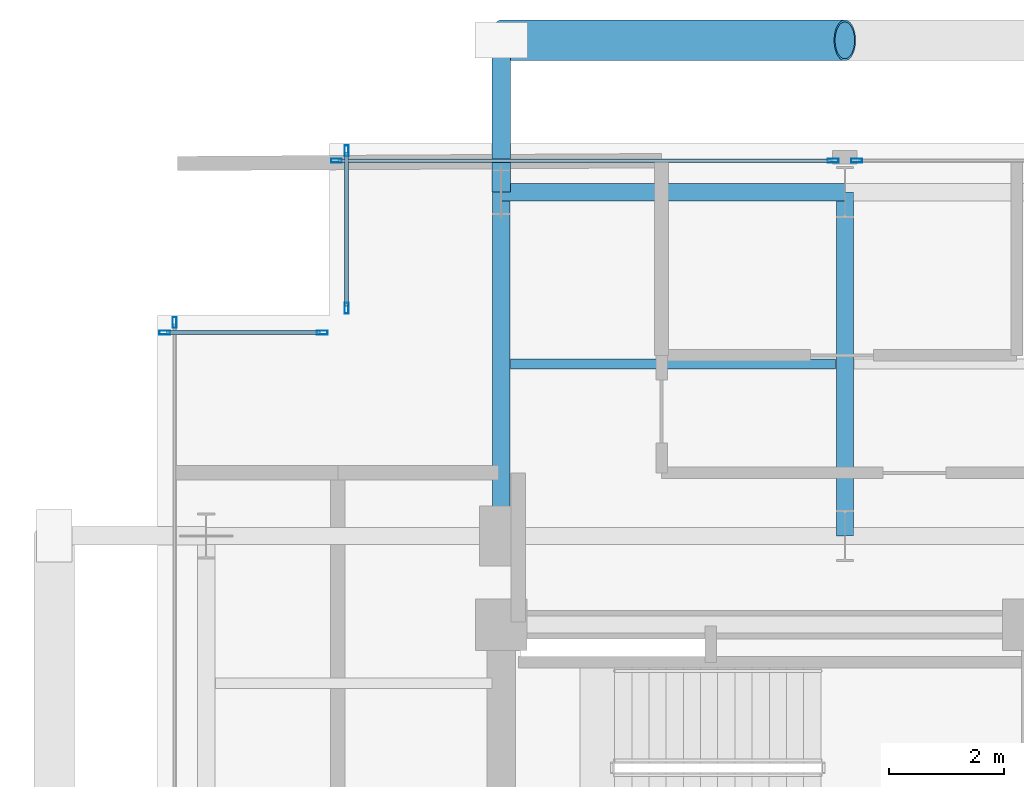
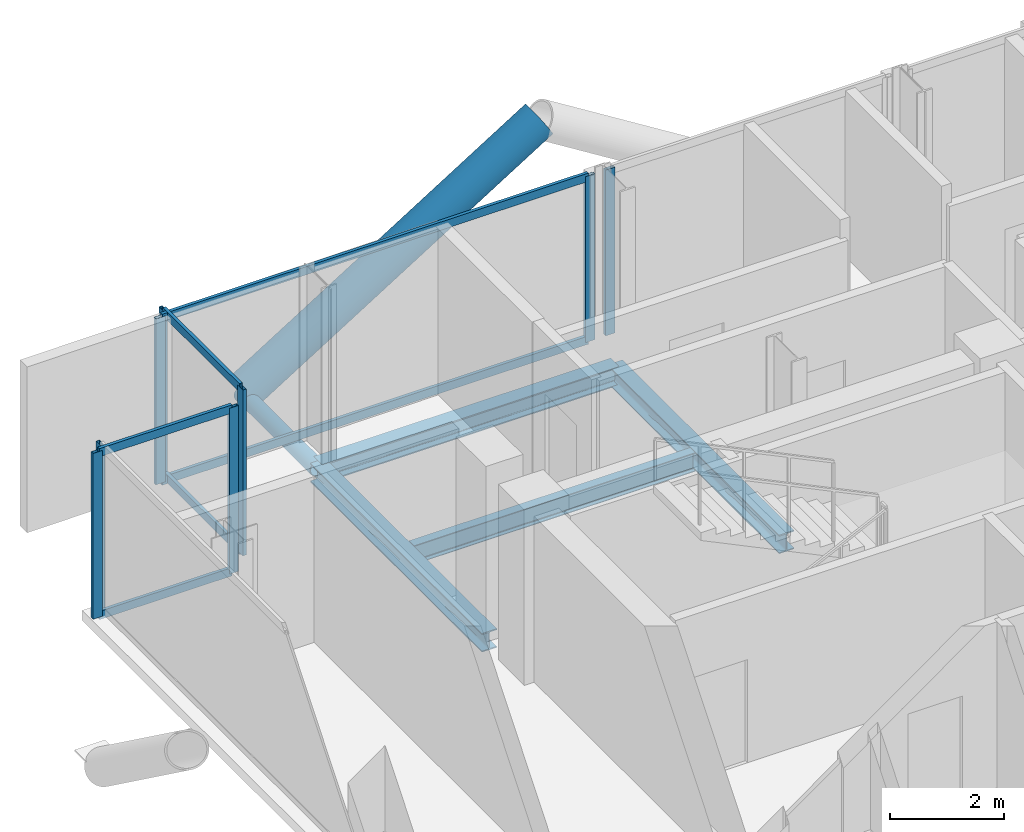
# One storey, part 13 of 21: 16 members, 4 beams, 5 elements without a shape of their own.
"""IFC4 building model written with IfcOpenShell, lengths in metres."""

from ifc_helpers import new_model, si_unit, direction, frame, origin, origin_2d, place, context, subcontext, project, spatial, hollow_rectangle, hollow_circle, i_section, extrude, material, layer, layer_set, material_profile, profile_set, type_object, element, aggregate, save


model = new_model("IFC4")

# Units and contexts
model_context = context("Model", 3, precision=1e-05, world=origin(), true_north=direction((0.0, 1.0)))
body_context = subcontext(model_context, "Body", "Model", "MODEL_VIEW")
ifc_project = project(units=[si_unit("LENGTHUNIT", "METRE"), si_unit("AREAUNIT", "SQUARE_METRE"), si_unit("VOLUMEUNIT", "CUBIC_METRE"), si_unit("PLANEANGLEUNIT", "RADIAN"), si_unit("MASSUNIT", "GRAM", prefix="KILO"), si_unit("THERMODYNAMICTEMPERATUREUNIT", "KELVIN"), si_unit("POWERUNIT", "WATT")], contexts=[model_context])

# Site, building, storey
site_placement = place(None, origin())
site = spatial("IfcSite", under=ifc_project, at=site_placement, CompositionType="ELEMENT")
building_placement = place(site_placement, origin())
building = spatial("IfcBuilding", under=site, at=building_placement, Name="Svarakhadi Broadcast Tower", CompositionType="ELEMENT")
storey_placement = place(building_placement, frame((0.0, 0.0, 187.949951171875)))
storey = spatial("IfcBuildingStorey", under=building, at=storey_placement, Name="L46", CompositionType="ELEMENT", Elevation=187.949951171875)

# Beam
ifc_material_1 = material(Name="Steel S355J2 (IS 2062 E350C)", Category="steel")
ifc_material_profile_1 = material_profile(ifc_material_1, i_section(OverallWidth=0.179931640625, OverallDepth=0.39990234375, WebThickness=0.008544921875, FlangeThickness=0.013427734375, FilletRadius=0.02099609375, at=origin_2d()), Name="NPB 400x180x66")
ifc_profile_set_1 = profile_set([ifc_material_profile_1], Name="Steel S355J2 (IS 2062 E350C)")
beam_type_1 = type_object("IfcBeamType", Name="Beam_NPB400", PredefinedType="BEAM", material=ifc_profile_set_1)
beam_placement = place(storey_placement, frame((6.159912109375, 32.14990234375, -0.409912109375), z_axis=(1.0, 0.0, 0.0), x_axis=(0.0, 1.0, 0.0)))
element("IfcBeam", 1, at=beam_placement, inside=storey, type_object=beam_type_1, Name="L46 Secondary Composite Beam SB008", PredefinedType="BEAM", context=body_context, shape_type="SweptSolid", body=[
    extrude(i_section(OverallWidth=0.179931640625, OverallDepth=0.39990234375, WebThickness=0.008544921875, FlangeThickness=0.013427734375, FilletRadius=0.02099609375, at=origin_2d()), origin(), (0.0, 0.0, 1.0), 5.68017578125),
])

# Curtain wall, member
ifc_material_2 = material(Name="Anodised Bronze Aluminium AA 6063-T6", Category="aluminium")
ifc_layer = layer(ifc_material_2, 0.18994140625)
ifc_layer_set = layer_set([ifc_layer], Name="Anodised Bronze Aluminium AA 6063-T6")
curtain_wall_type = type_object("IfcCurtainWallType", Name="CW_Sys_04", PredefinedType="NOTDEFINED", material=ifc_layer_set)
curtain_wall_1_placement = place(storey_placement, origin())
curtain_wall_1 = element("IfcCurtainWall", 2, at=curtain_wall_1_placement, inside=storey, type_object=curtain_wall_type, Name="L46 West Curtain Wall 03", PredefinedType="NOTDEFINED")
ifc_material_profile_2 = material_profile(ifc_material_2, hollow_rectangle(XDim=0.070068359375, YDim=0.18994140625, WallThickness=0.005615234375, at=origin_2d()), Name="ALU MULLION 190x70x6")
ifc_profile_set_2 = profile_set([ifc_material_profile_2], Name="Anodised Bronze Aluminium AA 6063-T6")
member_type_1 = type_object("IfcMemberType", Name="CW_Sys_04_Mul", PredefinedType="MULLION", material=ifc_profile_set_2)
member_1_placement = place(storey_placement, frame((0.300048828125, 32.875, 0.0), z_axis=(0.0, 0.0, 1.0), x_axis=(-1.0, 0.0, 0.0)))
member_1 = element("IfcMember", 3, at=member_1_placement, type_object=member_type_1, Name="CW-04 mullion 2", PredefinedType="MULLION", context=body_context, shape_type="SweptSolid", body=[
    extrude(hollow_rectangle(XDim=0.070068359375, YDim=0.18994140625, WallThickness=0.005615234375, at=origin_2d()), origin(), (0.0, 0.0, 1.0), 3.5400390625),
])
aggregate(curtain_wall_1, [member_1])

# Curtain wall, members
curtain_wall_2_placement = place(storey_placement, origin())
curtain_wall_2 = element("IfcCurtainWall", 4, at=curtain_wall_2_placement, inside=storey, type_object=curtain_wall_type, Name="L46 Unitised Facade Curtain Wall 04", PredefinedType="NOTDEFINED")
member_2_placement = place(storey_placement, frame((0.125, 32.699951171875, 0.0), z_axis=(0.0, 0.0, 1.0), x_axis=(0.0, 1.0, 0.0)))
member_2 = element("IfcMember", 5, at=member_2_placement, type_object=member_type_1, Name="CW-04 mullion 1", PredefinedType="MULLION", context=body_context, shape_type="SweptSolid", body=[
    extrude(hollow_rectangle(XDim=0.070068359375, YDim=0.18994140625, WallThickness=0.005615234375, at=origin_2d()), origin(), (0.0, 0.0, 1.0), 3.5400390625),
])
member_3_placement = place(storey_placement, frame((2.875, 32.699951171875, 0.0), z_axis=(0.0, 0.0, 1.0), x_axis=(0.0, 1.0, 0.0)))
member_3 = element("IfcMember", 6, at=member_3_placement, type_object=member_type_1, Name="CW-04 mullion 2", PredefinedType="MULLION", context=body_context, shape_type="SweptSolid", body=[
    extrude(hollow_rectangle(XDim=0.070068359375, YDim=0.18994140625, WallThickness=0.005615234375, at=origin_2d()), origin(), (0.0, 0.0, 1.0), 3.5400390625),
])

curtain_wall_3_placement = place(storey_placement, origin())
curtain_wall_3 = element("IfcCurtainWall", 7, at=curtain_wall_3_placement, inside=storey, type_object=curtain_wall_type, Name="L46 Unitised Facade Curtain Wall 05", PredefinedType="NOTDEFINED")
member_4_placement = place(storey_placement, frame((3.300048828125, 33.125, 0.0), z_axis=(0.0, 0.0, 1.0), x_axis=(-1.0, 0.0, 0.0)))
member_4 = element("IfcMember", 8, at=member_4_placement, type_object=member_type_1, Name="CW-04 mullion 1", PredefinedType="MULLION", context=body_context, shape_type="SweptSolid", body=[
    extrude(hollow_rectangle(XDim=0.070068359375, YDim=0.18994140625, WallThickness=0.005615234375, at=origin_2d()), origin(), (0.0, 0.0, 1.0), 3.5400390625),
])
member_5_placement = place(storey_placement, frame((3.300048828125, 35.875, 0.0), z_axis=(0.0, 0.0, 1.0), x_axis=(-1.0, 0.0, 0.0)))
member_5 = element("IfcMember", 9, at=member_5_placement, type_object=member_type_1, Name="CW-04 mullion 2", PredefinedType="MULLION", context=body_context, shape_type="SweptSolid", body=[
    extrude(hollow_rectangle(XDim=0.070068359375, YDim=0.18994140625, WallThickness=0.005615234375, at=origin_2d()), origin(), (0.0, 0.0, 1.0), 3.5400390625),
])

curtain_wall_4_placement = place(storey_placement, origin())
curtain_wall_4 = element("IfcCurtainWall", 10, at=curtain_wall_4_placement, inside=storey, type_object=curtain_wall_type, Name="L46 Unitised Facade Curtain Wall 06 Bay 1", PredefinedType="NOTDEFINED")
member_6_placement = place(storey_placement, frame((3.125, 35.699951171875, 0.0), z_axis=(0.0, 0.0, 1.0), x_axis=(0.0, 1.0, 0.0)))
member_6 = element("IfcMember", 11, at=member_6_placement, type_object=member_type_1, Name="CW-04 mullion 1", PredefinedType="MULLION", context=body_context, shape_type="SweptSolid", body=[
    extrude(hollow_rectangle(XDim=0.070068359375, YDim=0.18994140625, WallThickness=0.005615234375, at=origin_2d()), origin(), (0.0, 0.0, 1.0), 3.5400390625),
])
member_7_placement = place(storey_placement, frame((11.794921875, 35.699951171875, 0.0), z_axis=(0.0, 0.0, 1.0), x_axis=(0.0, 1.0, 0.0)))
member_7 = element("IfcMember", 12, at=member_7_placement, type_object=member_type_1, Name="CW-04 mullion 2", PredefinedType="MULLION", context=body_context, shape_type="SweptSolid", body=[
    extrude(hollow_rectangle(XDim=0.070068359375, YDim=0.18994140625, WallThickness=0.005615234375, at=origin_2d()), origin(), (0.0, 0.0, 1.0), 3.5400390625),
])

# Curtain wall, member
curtain_wall_5_placement = place(storey_placement, origin())
curtain_wall_5 = element("IfcCurtainWall", 13, at=curtain_wall_5_placement, inside=storey, type_object=curtain_wall_type, Name="L46 Unitised Facade Curtain Wall 06 Bay 2", PredefinedType="NOTDEFINED")
member_8_placement = place(storey_placement, frame((12.205078125, 35.699951171875, 0.0), z_axis=(0.0, 0.0, 1.0), x_axis=(0.0, 1.0, 0.0)))
member_8 = element("IfcMember", 14, at=member_8_placement, type_object=member_type_1, Name="CW-04 mullion 1", PredefinedType="MULLION", context=body_context, shape_type="SweptSolid", body=[
    extrude(hollow_rectangle(XDim=0.070068359375, YDim=0.18994140625, WallThickness=0.005615234375, at=origin_2d()), origin(), (0.0, 0.0, 1.0), 3.5400390625),
])
aggregate(curtain_wall_5, [member_8])

# Member
ifc_material_profile_3 = material_profile(ifc_material_2, hollow_rectangle(XDim=0.06494140625, YDim=0.175048828125, WallThickness=0.0048828125, at=origin_2d()), Name="ALU TRANSOM 175x65x5")
ifc_profile_set_3 = profile_set([ifc_material_profile_3], Name="Anodised Bronze Aluminium AA 6063-T6")
member_type_2 = type_object("IfcMemberType", Name="CW_Sys_04_Trn", PredefinedType="USERDEFINED", material=ifc_profile_set_3)
member_9_placement = place(storey_placement, frame((0.159912109375, 32.699951171875, 0.032470703125), z_axis=(1.0, 0.0, 0.0), x_axis=(0.0, 1.0, 0.0)))
member_9 = element("IfcMember", 15, at=member_9_placement, type_object=member_type_2, Name="CW-04 transom 1.1", ObjectType="TRANSOM", PredefinedType="USERDEFINED", context=body_context, shape_type="SweptSolid", body=[
    extrude(hollow_rectangle(XDim=0.06494140625, YDim=0.175048828125, WallThickness=0.0048828125, at=origin_2d()), origin(), (0.0, 0.0, 1.0), 2.68017578125),
])

member_10_placement = place(storey_placement, frame((0.159912109375, 32.699951171875, 3.507568359375), z_axis=(1.0, 0.0, 0.0), x_axis=(0.0, 1.0, 0.0)))
member_10 = element("IfcMember", 16, at=member_10_placement, type_object=member_type_2, Name="CW-04 transom 1.2", ObjectType="TRANSOM", PredefinedType="USERDEFINED", context=body_context, shape_type="SweptSolid", body=[
    extrude(hollow_rectangle(XDim=0.06494140625, YDim=0.175048828125, WallThickness=0.0048828125, at=origin_2d()), origin(), (0.0, 0.0, 1.0), 2.68017578125),
])

aggregate(curtain_wall_2, [member_2, member_3, member_9, member_10])

member_11_placement = place(storey_placement, frame((3.300048828125, 33.159912109375, 0.032470703125), z_axis=(0.0, 1.0, 0.0), x_axis=(-1.0, 0.0, 0.0)))
member_11 = element("IfcMember", 17, at=member_11_placement, type_object=member_type_2, Name="CW-04 transom 1.1", ObjectType="TRANSOM", PredefinedType="USERDEFINED", context=body_context, shape_type="SweptSolid", body=[
    extrude(hollow_rectangle(XDim=0.06494140625, YDim=0.175048828125, WallThickness=0.0048828125, at=origin_2d()), origin(), (0.0, 0.0, 1.0), 2.68017578125),
])

member_12_placement = place(storey_placement, frame((3.300048828125, 33.159912109375, 3.507568359375), z_axis=(0.0, 1.0, 0.0), x_axis=(-1.0, 0.0, 0.0)))
member_12 = element("IfcMember", 18, at=member_12_placement, type_object=member_type_2, Name="CW-04 transom 1.2", ObjectType="TRANSOM", PredefinedType="USERDEFINED", context=body_context, shape_type="SweptSolid", body=[
    extrude(hollow_rectangle(XDim=0.06494140625, YDim=0.175048828125, WallThickness=0.0048828125, at=origin_2d()), origin(), (0.0, 0.0, 1.0), 2.68017578125),
])

aggregate(curtain_wall_3, [member_4, member_5, member_11, member_12])

member_13_placement = place(storey_placement, frame((3.159912109375, 35.699951171875, 0.032470703125), z_axis=(1.0, 0.0, 0.0), x_axis=(0.0, 1.0, 0.0)))
member_13 = element("IfcMember", 19, at=member_13_placement, type_object=member_type_2, Name="CW-04 transom 1.1", ObjectType="TRANSOM", PredefinedType="USERDEFINED", context=body_context, shape_type="SweptSolid", body=[
    extrude(hollow_rectangle(XDim=0.06494140625, YDim=0.175048828125, WallThickness=0.0048828125, at=origin_2d()), origin(), (0.0, 0.0, 1.0), 8.60009765625),
])

member_14_placement = place(storey_placement, frame((3.159912109375, 35.699951171875, 3.507568359375), z_axis=(1.0, 0.0, 0.0), x_axis=(0.0, 1.0, 0.0)))
member_14 = element("IfcMember", 20, at=member_14_placement, type_object=member_type_2, Name="CW-04 transom 1.2", ObjectType="TRANSOM", PredefinedType="USERDEFINED", context=body_context, shape_type="SweptSolid", body=[
    extrude(hollow_rectangle(XDim=0.06494140625, YDim=0.175048828125, WallThickness=0.0048828125, at=origin_2d()), origin(), (0.0, 0.0, 1.0), 8.60009765625),
])

aggregate(curtain_wall_4, [member_6, member_7, member_13, member_14])

# Members
ifc_material_3 = material(Name="Steel S460ML (IS 2062 E450BR)", Category="steel")
ifc_material_profile_4 = material_profile(ifc_material_3, hollow_circle(Radius=0.35546875, WallThickness=0.034912109375, at=origin_2d()), Name="CHS 711x35")
ifc_profile_set_4 = profile_set([ifc_material_profile_4], Name="Steel S460ML (IS 2062 E450BR)")
member_type_3 = type_object("IfcMemberType", Name="Exo_Brace_CHS711", PredefinedType="BRACE", material=ifc_profile_set_4)
member_15_placement = place(storey_placement, frame((6.0, 37.800048828125, -0.371826171875), z_axis=(0.847998304005, 0.0, 0.529998940003), x_axis=(0.0, 1.0, 0.0)))
element("IfcMember", 21, at=member_15_placement, inside=storey, type_object=member_type_3, Name="L46 Exposed Bronze Exoskeleton Diagonal N06", PredefinedType="BRACE", context=body_context, shape_type="SweptSolid", body=[
    extrude(hollow_circle(Radius=0.35546875, WallThickness=0.034912109375, at=origin_2d()), origin(), (0.0, 0.0, 1.0), 7.075439453125),
])
ifc_material_profile_5 = material_profile(ifc_material_3, hollow_circle(Radius=0.161865234375, WallThickness=0.01611328125, at=origin_2d()), Name="CHS 323.9x16")
ifc_profile_set_5 = profile_set([ifc_material_profile_5], Name="Steel S460ML (IS 2062 E450BR)")
member_type_4 = type_object("IfcMemberType", Name="Exo_Radial_Strut_Z2", PredefinedType="STRUT", material=ifc_profile_set_5)
member_16_placement = place(storey_placement, frame((6.0, 37.800048828125, -0.371826171875), z_axis=(0.0, -1.0, 0.0), x_axis=(1.0, 0.0, 0.0)))
element("IfcMember", 22, at=member_16_placement, inside=storey, type_object=member_type_4, Name="L46 Exoskeleton Radial Tie Strut N09", PredefinedType="STRUT", context=body_context, shape_type="SweptSolid", body=[
    extrude(hollow_circle(Radius=0.161865234375, WallThickness=0.01611328125, at=origin_2d()), origin(), (0.0, 0.0, 1.0), 2.650146484375),
])

# Beams
ifc_material_profile_6 = material_profile(ifc_material_1, i_section(OverallWidth=0.300048828125, OverallDepth=0.39990234375, WebThickness=0.013427734375, FlangeThickness=0.02392578125, FilletRadius=0.027099609375, at=origin_2d()), Name="WPB 400x300x155")
ifc_profile_set_6 = profile_set([ifc_material_profile_6], Name="Steel S355J2 (IS 2062 E350C)")
beam_type_2 = type_object("IfcBeamType", Name="Girder_WPB400", PredefinedType="USERDEFINED", material=ifc_profile_set_6)
for number, where, z_axis, x_axis, name in (
    (23, (6.0, 35.14990234375, -0.409912109375), (1.0, 0.0, 0.0), (0.0, 1.0, 0.0), "L46 Primary E-W Girder G031"),
    (24, (6.0, 29.14990234375, -0.409912109375), (0.0, 1.0, 0.0), (-1.0, 0.0, 0.0), "L46 Primary N-S Girder G041"),
    (25, (12.0, 29.14990234375, -0.409912109375), (0.0, 1.0, 0.0), (-1.0, 0.0, 0.0), "L46 Primary N-S Girder G045"),
):
    element("IfcBeam", number, at=place(storey_placement, frame(where, z_axis=z_axis, x_axis=x_axis)), inside=storey, type_object=beam_type_2, Name=name, ObjectType="GIRDER", PredefinedType="USERDEFINED", context=body_context, shape_type="SweptSolid", body=[
        extrude(i_section(OverallWidth=0.300048828125, OverallDepth=0.39990234375, WebThickness=0.013427734375, FlangeThickness=0.02392578125, FilletRadius=0.027099609375, at=origin_2d()), origin(), (0.0, 0.0, 1.0), 6.0),
    ])

save(model, "model.ifc")
